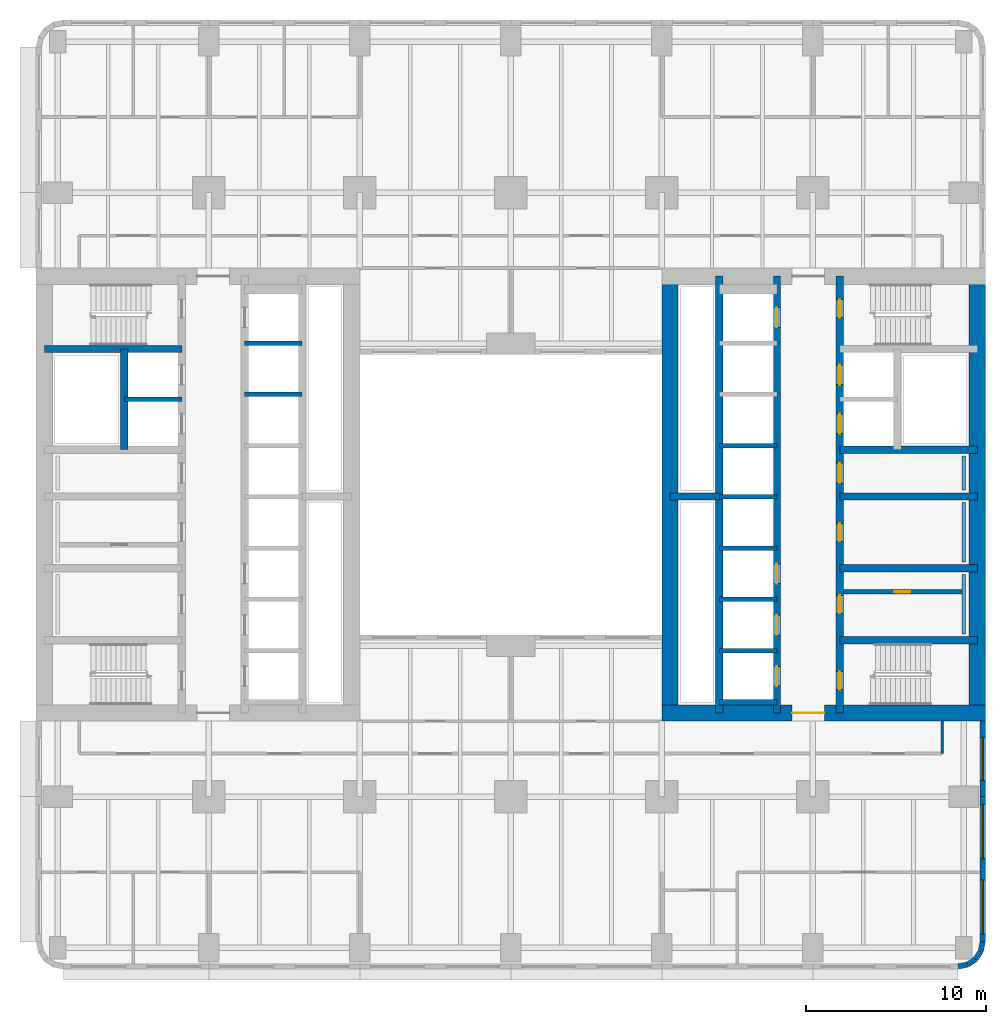
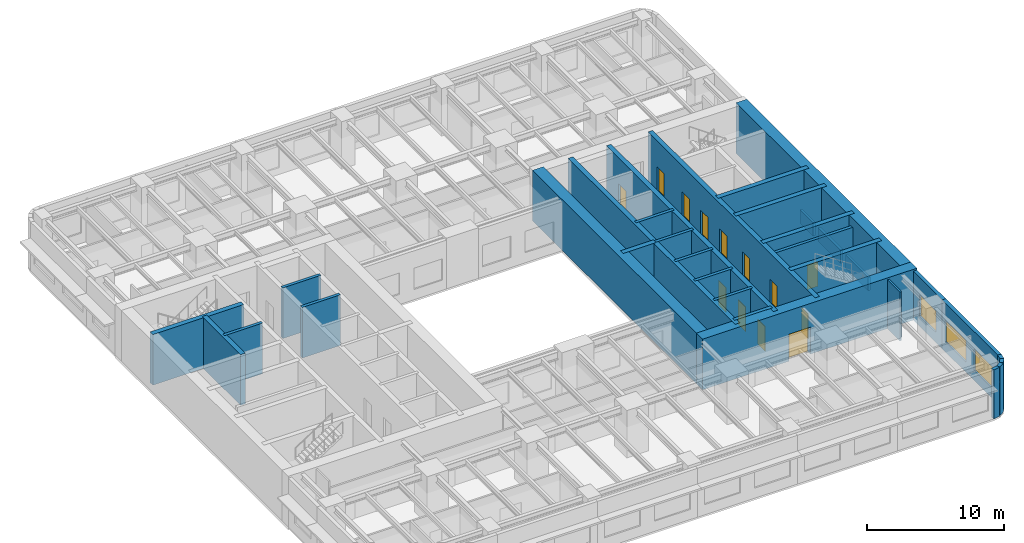
# One storey, part 5 of 14: 33 walls, 13 doors, 3 windows, 16 openings.
"""IFC4 building model written with IfcOpenShell, lengths in metres."""

from ifc_helpers import new_model, si_unit, direction, frame, frame_2d, origin, place, context, subcontext, project, spatial, rectangle, extrude, material, layer, layer_set, type_object, element, fill, save


model = new_model("IFC4")

# Units and contexts
model_context = context("Model", 3, precision=1e-05, world=origin(), true_north=direction((0.0, 1.0)))
body_context = subcontext(model_context, "Body", "Model", "MODEL_VIEW")
ifc_project = project(units=[si_unit("LENGTHUNIT", "METRE"), si_unit("AREAUNIT", "SQUARE_METRE"), si_unit("VOLUMEUNIT", "CUBIC_METRE"), si_unit("PLANEANGLEUNIT", "RADIAN"), si_unit("MASSUNIT", "GRAM", prefix="KILO")], contexts=[model_context])

# Site, building, storey
site_placement = place(None, origin())
site = spatial("IfcSite", under=ifc_project, at=site_placement, CompositionType="ELEMENT")
building_placement = place(site_placement, origin())
building = spatial("IfcBuilding", under=site, at=building_placement, Name="Claustro Exchange Tower", CompositionType="ELEMENT")
storey_placement = place(building_placement, frame((0.0, 0.0, 23.39990234375)))
storey = spatial("IfcBuildingStorey", under=building, at=storey_placement, Name="L05", CompositionType="ELEMENT", Elevation=23.39990234375)

# Wall
ifc_material_1 = material(Name="Gypsum board on steel studs", Category="steel")
ifc_layer_1 = layer(ifc_material_1, 0.14990234375)
ifc_layer_set_1 = layer_set([ifc_layer_1], Name="Gypsum board on steel studs")
wall_type_1 = type_object("IfcWallType", Name="P1 150 plasterboard partition", PredefinedType="PARTITIONING", material=ifc_layer_set_1)
wall_1_placement = place(storey_placement, frame((49.199951171875, 10.800048828125, 0.0), z_axis=(0.0, 0.0, 1.0), x_axis=(0.0, 1.0, 0.0)))
element("IfcWall", 1, at=wall_1_placement, inside=storey, type_object=wall_type_1, Name="Partition P1 L05", PredefinedType="PARTITIONING", context=body_context, shape_type="SweptSolid", body=[
    extrude(rectangle(XDim=1.802001953125, YDim=0.14990234375, at=frame_2d((0.90087890625, 0.0))), origin(), (0.0, 0.0, 1.0), 4.340087890625),
])

# Wall, opening, door
ifc_material_2 = material(Name="Concrete blockwork, rendered", Category="masonry")
ifc_layer_2 = layer(ifc_material_2, 0.25)
ifc_layer_set_2 = layer_set([ifc_layer_2], Name="Concrete blockwork, rendered")
wall_type_2 = type_object("IfcWallType", Name="P4 250 blockwork wall", PredefinedType="PARTITIONING", material=ifc_layer_set_2)
wall_2_placement = place(storey_placement, frame((43.699951171875, 19.800048828125, 0.0), z_axis=(0.0, 0.0, 1.0), x_axis=(1.0, 0.0, 0.0)))
wall_2 = element("IfcWall", 2, at=wall_2_placement, inside=storey, type_object=wall_type_2, Name="Partition P4 L05", PredefinedType="PARTITIONING", context=body_context, shape_type="SweptSolid", body=[
    extrude(rectangle(XDim=6.60009765625, YDim=0.25, at=frame_2d((3.300048828125, 0.0))), origin(), (0.0, 0.0, 1.0), 4.300048828125),
])
opening_1_placement = place(wall_2_placement, frame((2.824951171875, 0.0, 0.0)))
opening_1 = element("IfcOpeningElement", 3, at=opening_1_placement, cuts=wall_2, Name="Opening D5", PredefinedType="OPENING", context=body_context, shape_type="SweptSolid", body=[
    extrude(rectangle(XDim=0.89990234375, YDim=2.199951171875, at=frame_2d((0.449951171875, 1.10009765625))), frame((0.0, 0.135009765625, 0.0), z_axis=(0.0, -1.0, 0.0), x_axis=(1.0, 0.0, 0.0)), (0.0, 0.0, 1.0), 0.27001953125),
])
ifc_material_3 = material(Name="Steel door, painted", Category="steel")
door_type_1 = type_object("IfcDoorType", Name="D5 900 x 2200 store door", OperationType="SINGLE_SWING_LEFT", PredefinedType="DOOR", material=ifc_material_3)
door_1_placement = place(opening_1_placement, origin())
door_1 = element("IfcDoor", 4, at=door_1_placement, inside=storey, type_object=door_type_1, Name="Store door D5 L05", OperationType="SINGLE_SWING_RIGHT", OverallHeight=2.199951171875, OverallWidth=0.89990234375, PredefinedType="DOOR", context=body_context, shape_type="SweptSolid", body=[
    extrude(rectangle(XDim=0.89990234375, YDim=2.199951171875, at=frame_2d((0.449951171875, 1.10009765625))), frame((0.0, 0.02490234375, 0.0), z_axis=(0.0, -1.0, 0.0), x_axis=(1.0, 0.0, 0.0)), (0.0, 0.0, 1.0), 0.050048828125),
])
fill(opening_1, door_1)

# Wall, opening, window
ifc_material_4 = material(Name="Concrete HA-40 (C40/50), precast, white cement, acid-etched", Category="concrete")
ifc_layer_3 = layer(ifc_material_4, 0.300048828125)
ifc_layer_set_3 = layer_set([ifc_layer_3], Name="Concrete HA-40 (C40/50), precast, white cement, acid-etched")
wall_type_3 = type_object("IfcWallType", Name="PC1 300 precast concrete pier panel", PredefinedType="SOLIDWALL", material=ifc_layer_set_3)
wall_3_placement = place(storey_placement, frame((51.449951171875, 12.60009765625, 0.0), z_axis=(0.0, 0.0, 1.0), x_axis=(0.0, -1.0, 0.0)))
wall_3 = element("IfcWall", 5, at=wall_3_placement, inside=storey, type_object=wall_type_3, Name="Precast pier panel PC1 L05", PredefinedType="SOLIDWALL", context=body_context, shape_type="SweptSolid", body=[
    extrude(rectangle(XDim=4.2001953125, YDim=0.300048828125, at=frame_2d((2.10009765625, 0.0))), origin(), (0.0, 0.0, 1.0), 4.340087890625),
])
opening_2_placement = place(wall_3_placement, frame((0.89990234375, 0.0, 0.89990234375)))
opening_2 = element("IfcOpeningElement", 6, at=opening_2_placement, cuts=wall_3, Name="Opening W2", PredefinedType="OPENING", context=body_context, shape_type="SweptSolid", body=[
    extrude(rectangle(XDim=2.39990234375, YDim=1.89990234375, at=frame_2d((1.199951171875, 0.949951171875))), frame((0.0, 0.159912109375, 0.0), z_axis=(0.0, -1.0, 0.0), x_axis=(1.0, 0.0, 0.0)), (0.0, 0.0, 1.0), 0.320068359375),
])
ifc_material_5 = material(Name="Aluminium frame, clear double glazing", Category="aluminium")
window_type_1 = type_object("IfcWindowType", Name="W2 2400 x 1900 window", PartitioningType="SINGLE_PANEL", PredefinedType="WINDOW", material=ifc_material_5)
window_1_placement = place(opening_2_placement, origin())
window_1 = element("IfcWindow", 7, at=window_1_placement, inside=storey, type_object=window_type_1, Name="Window W2 L05", OverallHeight=1.89990234375, OverallWidth=2.39990234375, PartitioningType="SINGLE_PANEL", PredefinedType="WINDOW", context=body_context, shape_type="SweptSolid", body=[
    extrude(rectangle(XDim=2.39990234375, YDim=1.89990234375, at=frame_2d((1.199951171875, 0.949951171875))), frame((0.0, 0.030029296875, 0.0), z_axis=(0.0, -1.0, 0.0), x_axis=(1.0, 0.0, 0.0)), (0.0, 0.0, 1.0), 0.06005859375),
])
fill(opening_2, window_1)

# Wall, openings, windows
wall_4_placement = place(storey_placement, frame((51.449951171875, 8.39990234375, 0.0), z_axis=(0.0, 0.0, 1.0), x_axis=(0.0, -1.0, 0.0)))
wall_4 = element("IfcWall", 8, at=wall_4_placement, inside=storey, type_object=wall_type_3, Name="Precast pier panel PC1 L05", PredefinedType="SOLIDWALL", context=body_context, shape_type="SweptSolid", body=[
    extrude(rectangle(XDim=8.085205078125, YDim=0.300048828125, at=frame_2d((4.04248046875, 0.0))), origin(), (0.0, 0.0, 1.0), 4.340087890625),
])
opening_3_placement = place(wall_4_placement, frame((0.442626953125, 0.0, 0.89990234375)))
opening_3 = element("IfcOpeningElement", 9, at=opening_3_placement, cuts=wall_4, Name="Opening W1", PredefinedType="OPENING", context=body_context, shape_type="SweptSolid", body=[
    extrude(rectangle(XDim=3.0, YDim=1.89990234375, at=frame_2d((1.5, 0.949951171875))), frame((0.0, 0.159912109375, 0.0), z_axis=(0.0, -1.0, 0.0), x_axis=(1.0, 0.0, 0.0)), (0.0, 0.0, 1.0), 0.320068359375),
])
opening_4_placement = place(wall_4_placement, frame((4.642578125, 0.0, 0.89990234375)))
opening_4 = element("IfcOpeningElement", 10, at=opening_4_placement, cuts=wall_4, Name="Opening W1", PredefinedType="OPENING", context=body_context, shape_type="SweptSolid", body=[
    extrude(rectangle(XDim=3.0, YDim=1.89990234375, at=frame_2d((1.5, 0.949951171875))), frame((0.0, 0.159912109375, 0.0), z_axis=(0.0, -1.0, 0.0), x_axis=(1.0, 0.0, 0.0)), (0.0, 0.0, 1.0), 0.320068359375),
])
ifc_material_6 = material(Name="Aluminium frame, clear double glazing", Category="aluminium")
window_type_2 = type_object("IfcWindowType", Name="W1 3000 x 1900 window", PartitioningType="SINGLE_PANEL", PredefinedType="WINDOW", material=ifc_material_6)
window_2_placement = place(opening_3_placement, origin())
window_2 = element("IfcWindow", 11, at=window_2_placement, inside=storey, type_object=window_type_2, Name="Window W1 L05", OverallHeight=1.89990234375, OverallWidth=3.0, PartitioningType="SINGLE_PANEL", PredefinedType="WINDOW", context=body_context, shape_type="SweptSolid", body=[
    extrude(rectangle(XDim=3.0, YDim=1.89990234375, at=frame_2d((1.5, 0.949951171875))), frame((0.0, 0.030029296875, 0.0), z_axis=(0.0, -1.0, 0.0), x_axis=(1.0, 0.0, 0.0)), (0.0, 0.0, 1.0), 0.06005859375),
])
fill(opening_3, window_2)
window_3_placement = place(opening_4_placement, origin())
window_3 = element("IfcWindow", 12, at=window_3_placement, inside=storey, type_object=window_type_2, Name="Window W1 L05", OverallHeight=1.89990234375, OverallWidth=3.0, PartitioningType="SINGLE_PANEL", PredefinedType="WINDOW", context=body_context, shape_type="SweptSolid", body=[
    extrude(rectangle(XDim=3.0, YDim=1.89990234375, at=frame_2d((1.5, 0.949951171875))), frame((0.0, 0.030029296875, 0.0), z_axis=(0.0, -1.0, 0.0), x_axis=(1.0, 0.0, 0.0)), (0.0, 0.0, 1.0), 0.06005859375),
])
fill(opening_4, window_3)

# Walls
wall_5_placement = place(storey_placement, frame((51.449951171875, 0.314697265625, 0.0), z_axis=(0.0, 0.0, 1.0), x_axis=(-0.195073962632, -0.980788534345, 0.0)))
element("IfcWall", 13, at=wall_5_placement, inside=storey, type_object=wall_type_3, Name="Precast pier panel PC1 L05", PredefinedType="SOLIDWALL", context=body_context, shape_type="SweptSolid", body=[
    extrude(rectangle(XDim=0.540771484375, YDim=0.300048828125, at=frame_2d((0.2705078125, 0.0))), origin(), (0.0, 0.0, 1.0), 4.340087890625),
])
for number, where, z_axis, x_axis, name in (
    (14, (51.344482421875, -0.215576171875, 0.0), (0.0, 0.0, 1.0), (-0.555557463938, -0.831478144188, 0.0), "Precast pier panel PC1 L05"),
    (15, (51.052490234375, -0.652587890625, 0.0), (0.0, 0.0, 1.0), (-0.831478144188, -0.555557463938, 0.0), "Precast pier panel PC1 L05"),
):
    element("IfcWall", number, at=place(storey_placement, frame(where, z_axis=z_axis, x_axis=x_axis)), inside=storey, type_object=wall_type_3, Name=name, PredefinedType="SOLIDWALL", context=body_context, shape_type="SweptSolid", body=[
        extrude(rectangle(XDim=0.525634765625, YDim=0.300048828125, at=frame_2d((0.2626953125, 0.0))), origin(), (0.0, 0.0, 1.0), 4.340087890625),
    ])
wall_6_placement = place(storey_placement, frame((50.615478515625, -0.944580078125, 0.0), z_axis=(0.0, 0.0, 1.0), x_axis=(-0.980788534345, -0.195073962632, 0.0)))
element("IfcWall", 16, at=wall_6_placement, inside=storey, type_object=wall_type_3, Name="Precast pier panel PC1 L05", PredefinedType="SOLIDWALL", context=body_context, shape_type="SweptSolid", body=[
    extrude(rectangle(XDim=0.540771484375, YDim=0.300048828125, at=frame_2d((0.2705078125, 0.0))), origin(), (0.0, 0.0, 1.0), 4.340087890625),
])
ifc_material_7 = material(Name="Gypsum board on steel studs, tiled", Category="steel")
ifc_layer_4 = layer(ifc_material_7, 0.199951171875)
ifc_layer_set_4 = layer_set([ifc_layer_4], Name="Gypsum board on steel studs, tiled")
wall_type_4 = type_object("IfcWallType", Name="PW1 200 WC duct wall", PredefinedType="PLUMBINGWALL", material=ifc_layer_set_4)
for number, where, z_axis, x_axis, name in (
    (17, (50.39990234375, 17.449951171875, 0.0), (0.0, 0.0, 1.0), (0.0, 1.0, 0.0), "WC duct wall PW1 L05"),
    (18, (50.39990234375, 21.449951171875, 0.0), (0.0, 0.0, 1.0), (0.0, 1.0, 0.0), "WC duct wall PW1 L05"),
):
    element("IfcWall", number, at=place(storey_placement, frame(where, z_axis=z_axis, x_axis=x_axis)), inside=storey, type_object=wall_type_4, Name=name, PredefinedType="PLUMBINGWALL", context=body_context, shape_type="SweptSolid", body=[
        extrude(rectangle(XDim=3.300048828125, YDim=0.199951171875, at=frame_2d((1.64990234375, 0.0))), origin(), (0.0, 0.0, 1.0), 1.2001953125),
    ])
wall_7_placement = place(storey_placement, frame((50.39990234375, 25.449951171875, 0.0), z_axis=(0.0, 0.0, 1.0), x_axis=(0.0, 1.0, 0.0)))
element("IfcWall", 19, at=wall_7_placement, inside=storey, type_object=wall_type_4, Name="WC duct wall PW1 L05", PredefinedType="PLUMBINGWALL", context=body_context, shape_type="SweptSolid", body=[
    extrude(rectangle(XDim=1.900146484375, YDim=0.199951171875, at=frame_2d((0.9501953125, 0.0))), origin(), (0.0, 0.0, 1.0), 1.2001953125),
])

# Wall, opening, door
ifc_material_8 = material(Name="Concrete HA-70 (C70/85)", Category="concrete")
ifc_layer_5 = layer(ifc_material_8, 0.89990234375)
ifc_layer_set_5 = layer_set([ifc_layer_5], Name="Concrete HA-70 (C70/85)")
wall_type_5 = type_object("IfcWallType", Name="SW1 900 core shear wall", PredefinedType="SHEAR", material=ifc_layer_set_5)
wall_8_placement = place(storey_placement, frame((33.60009765625, 13.050048828125, 0.0), z_axis=(0.0, 0.0, 1.0), x_axis=(1.0, 0.0, 0.0)))
wall_8 = element("IfcWall", 20, at=wall_8_placement, inside=storey, type_object=wall_type_5, Name="Core wall SW1 E core S face L05", PredefinedType="SHEAR", context=body_context, shape_type="SweptSolid", body=[
    extrude(rectangle(XDim=18.0, YDim=0.89990234375, at=frame_2d((9.0, 0.0))), origin(), (0.0, 0.0, 1.0), 4.5),
])
opening_5_placement = place(wall_8_placement, frame((7.25, 0.0, 0.0)))
opening_5 = element("IfcOpeningElement", 21, at=opening_5_placement, cuts=wall_8, Name="Opening D3", PredefinedType="OPENING", context=body_context, shape_type="SweptSolid", body=[
    extrude(rectangle(XDim=1.800048828125, YDim=2.39990234375, at=frame_2d((0.89990234375, 1.199951171875))), frame((0.0, 0.4599609375, 0.0), z_axis=(0.0, -1.0, 0.0), x_axis=(1.0, 0.0, 0.0)), (0.0, 0.0, 1.0), 0.919921875),
])
ifc_material_9 = material(Name="Steel fire door, painted", Category="steel")
door_type_2 = type_object("IfcDoorType", Name="D3 1800 x 2400 fire-rated lobby double door", OperationType="DOUBLE_DOOR_SINGLE_SWING", PredefinedType="DOOR", material=ifc_material_9)
door_2_placement = place(opening_5_placement, origin())
door_2 = element("IfcDoor", 22, at=door_2_placement, inside=storey, type_object=door_type_2, Name="Lift lobby door D3 L05", OperationType="DOUBLE_DOOR_SINGLE_SWING", OverallHeight=2.39990234375, OverallWidth=1.800048828125, PredefinedType="DOOR", context=body_context, shape_type="SweptSolid", body=[
    extrude(rectangle(XDim=1.800048828125, YDim=2.39990234375, at=frame_2d((0.89990234375, 1.199951171875))), frame((0.0, 0.02490234375, 0.0), z_axis=(0.0, -1.0, 0.0), x_axis=(1.0, 0.0, 0.0)), (0.0, 0.0, 1.0), 0.050048828125),
])
fill(opening_5, door_2)

# Walls
ifc_material_10 = material(Name="Concrete HA-70 (C70/85)", Category="concrete")
ifc_layer_6 = layer(ifc_material_10, 0.89990234375)
ifc_layer_set_6 = layer_set([ifc_layer_6], Name="Concrete HA-70 (C70/85)")
wall_type_6 = type_object("IfcWallType", Name="SW1X 900 exposed core shear wall, board-marked face", PredefinedType="SHEAR", material=ifc_layer_set_6)
for number, where, z_axis, x_axis, name in (
    (23, (34.050048828125, 13.050048828125, 0.0), (0.0, 0.0, 1.0), (0.0, 1.0, 0.0), "Core wall SW1X E core W face L05"),
    (24, (51.14990234375, 13.050048828125, 0.0), (0.0, 0.0, 1.0), (0.0, 1.0, 0.0), "Core wall SW1X E core E face L05"),
):
    element("IfcWall", number, at=place(storey_placement, frame(where, z_axis=z_axis, x_axis=x_axis)), inside=storey, type_object=wall_type_6, Name=name, PredefinedType="SHEAR", context=body_context, shape_type="SweptSolid", body=[
        extrude(rectangle(XDim=24.300048828125, YDim=0.89990234375, at=frame_2d((12.14990234375, 0.0))), origin(), (0.0, 0.0, 1.0), 4.5),
    ])
ifc_material_11 = material(Name="Concrete HA-50 (C50/60)", Category="concrete")
ifc_layer_7 = layer(ifc_material_11, 0.39990234375)
ifc_layer_set_7 = layer_set([ifc_layer_7], Name="Concrete HA-50 (C50/60)")
wall_type_7 = type_object("IfcWallType", Name="SW4 400 internal core wall", PredefinedType="SHEAR", material=ifc_layer_set_7)
wall_9_placement = place(storey_placement, frame((-0.75, 33.300048828125, 0.0), z_axis=(0.0, 0.0, 1.0), x_axis=(1.0, 0.0, 0.0)))
element("IfcWall", 25, at=wall_9_placement, inside=storey, type_object=wall_type_7, Name="Internal core wall SW4 W core L05", PredefinedType="SHEAR", context=body_context, shape_type="SweptSolid", body=[
    extrude(rectangle(XDim=7.64990234375, YDim=0.39990234375, at=frame_2d((3.824951171875, 0.0))), origin(), (0.0, 0.0, 1.0), 4.5),
])
wall_10_placement = place(storey_placement, frame((3.699951171875, 27.699951171875, 0.0), z_axis=(0.0, 0.0, 1.0), x_axis=(0.0, 1.0, 0.0)))
element("IfcWall", 26, at=wall_10_placement, inside=storey, type_object=wall_type_7, Name="Internal core wall SW4 W core L05", PredefinedType="SHEAR", context=body_context, shape_type="SweptSolid", body=[
    extrude(rectangle(XDim=5.60009765625, YDim=0.39990234375, at=frame_2d((2.800048828125, 0.0))), origin(), (0.0, 0.0, 1.0), 4.5),
])

# Wall, openings, doors
wall_11_placement = place(storey_placement, frame((43.5, 13.050048828125, 0.0), z_axis=(0.0, 0.0, 1.0), x_axis=(0.0, 1.0, 0.0)))
wall_11 = element("IfcWall", 27, at=wall_11_placement, inside=storey, type_object=wall_type_7, Name="Internal core wall SW4 E core L05", PredefinedType="SHEAR", context=body_context, shape_type="SweptSolid", body=[
    extrude(rectangle(XDim=24.300048828125, YDim=0.39990234375, at=frame_2d((12.14990234375, 0.0))), origin(), (0.0, 0.0, 1.0), 4.5),
])
opening_6_placement = place(wall_11_placement, frame((1.300048828125, 0.0, 0.0)))
opening_6 = element("IfcOpeningElement", 28, at=opening_6_placement, cuts=wall_11, Name="Opening D4", PredefinedType="OPENING", context=body_context, shape_type="SweptSolid", body=[
    extrude(rectangle(XDim=1.0, YDim=2.199951171875, at=frame_2d((0.5, 1.10009765625))), frame((0.0, 0.2099609375, 0.0), z_axis=(0.0, -1.0, 0.0), x_axis=(1.0, 0.0, 0.0)), (0.0, 0.0, 1.0), 0.419921875),
])
opening_7_placement = place(wall_11_placement, frame((22.0, 0.0, 0.0)))
opening_7 = element("IfcOpeningElement", 29, at=opening_7_placement, cuts=wall_11, Name="Opening D4", PredefinedType="OPENING", context=body_context, shape_type="SweptSolid", body=[
    extrude(rectangle(XDim=1.0, YDim=2.199951171875, at=frame_2d((0.5, 1.10009765625))), frame((0.0, 0.2099609375, 0.0), z_axis=(0.0, -1.0, 0.0), x_axis=(1.0, 0.0, 0.0)), (0.0, 0.0, 1.0), 0.419921875),
])
opening_8_placement = place(wall_11_placement, frame((5.550048828125, 0.0, 0.0)))
opening_8 = element("IfcOpeningElement", 30, at=opening_8_placement, cuts=wall_11, Name="Opening D1", PredefinedType="OPENING", context=body_context, shape_type="SweptSolid", body=[
    extrude(rectangle(XDim=1.0, YDim=2.199951171875, at=frame_2d((0.5, 1.10009765625))), frame((0.0, 0.2099609375, 0.0), z_axis=(0.0, -1.0, 0.0), x_axis=(1.0, 0.0, 0.0)), (0.0, 0.0, 1.0), 0.419921875),
])
opening_9_placement = place(wall_11_placement, frame((9.550048828125, 0.0, 0.0)))
opening_9 = element("IfcOpeningElement", 31, at=opening_9_placement, cuts=wall_11, Name="Opening D1", PredefinedType="OPENING", context=body_context, shape_type="SweptSolid", body=[
    extrude(rectangle(XDim=1.0, YDim=2.199951171875, at=frame_2d((0.5, 1.10009765625))), frame((0.0, 0.2099609375, 0.0), z_axis=(0.0, -1.0, 0.0), x_axis=(1.0, 0.0, 0.0)), (0.0, 0.0, 1.0), 0.419921875),
])
opening_10_placement = place(wall_11_placement, frame((12.800048828125, 0.0, 0.0)))
opening_10 = element("IfcOpeningElement", 32, at=opening_10_placement, cuts=wall_11, Name="Opening D10", PredefinedType="OPENING", context=body_context, shape_type="SweptSolid", body=[
    extrude(rectangle(XDim=1.10009765625, YDim=2.199951171875, at=frame_2d((0.550048828125, 1.10009765625))), frame((0.0, 0.2099609375, 0.0), z_axis=(0.0, -1.0, 0.0), x_axis=(1.0, 0.0, 0.0)), (0.0, 0.0, 1.0), 0.419921875),
])
opening_11_placement = place(wall_11_placement, frame((15.53759765625, 0.0, 0.0)))
opening_11 = element("IfcOpeningElement", 33, at=opening_11_placement, cuts=wall_11, Name="Opening LD", PredefinedType="OPENING", context=body_context, shape_type="SweptSolid", body=[
    extrude(rectangle(XDim=1.10009765625, YDim=2.199951171875, at=frame_2d((0.550048828125, 1.10009765625))), frame((0.0, 0.2099609375, 0.0), z_axis=(0.0, -1.0, 0.0), x_axis=(1.0, 0.0, 0.0)), (0.0, 0.0, 1.0), 0.419921875),
])
opening_12_placement = place(wall_11_placement, frame((18.262451171875, 0.0, 0.0)))
opening_12 = element("IfcOpeningElement", 34, at=opening_12_placement, cuts=wall_11, Name="Opening LD", PredefinedType="OPENING", context=body_context, shape_type="SweptSolid", body=[
    extrude(rectangle(XDim=1.10009765625, YDim=2.199951171875, at=frame_2d((0.550048828125, 1.10009765625))), frame((0.0, 0.2099609375, 0.0), z_axis=(0.0, -1.0, 0.0), x_axis=(1.0, 0.0, 0.0)), (0.0, 0.0, 1.0), 0.419921875),
])
ifc_material_12 = material(Name="Timber door, oak veneer", Category="wood")
door_type_3 = type_object("IfcDoorType", Name="D1 1000 x 2200 single door", OperationType="SINGLE_SWING_LEFT", PredefinedType="DOOR", material=ifc_material_12)
door_3_placement = place(opening_8_placement, frame((1.0, 0.0, 0.0), z_axis=(0.0, 0.0, 1.0), x_axis=(-1.0, 0.0, 0.0)))
door_3 = element("IfcDoor", 35, at=door_3_placement, inside=storey, type_object=door_type_3, Name="Door D1 L05", OperationType="SINGLE_SWING_LEFT", OverallHeight=2.199951171875, OverallWidth=1.0, PredefinedType="DOOR", context=body_context, shape_type="SweptSolid", body=[
    extrude(rectangle(XDim=1.0, YDim=2.199951171875, at=frame_2d((0.5, 1.10009765625))), frame((0.0, 0.02490234375, 0.0), z_axis=(0.0, -1.0, 0.0), x_axis=(1.0, 0.0, 0.0)), (0.0, 0.0, 1.0), 0.050048828125),
])
fill(opening_8, door_3)
door_4_placement = place(opening_9_placement, frame((1.0, 0.0, 0.0), z_axis=(0.0, 0.0, 1.0), x_axis=(-1.0, 0.0, 0.0)))
door_4 = element("IfcDoor", 36, at=door_4_placement, inside=storey, type_object=door_type_3, Name="Door D1 L05", OperationType="SINGLE_SWING_LEFT", OverallHeight=2.199951171875, OverallWidth=1.0, PredefinedType="DOOR", context=body_context, shape_type="SweptSolid", body=[
    extrude(rectangle(XDim=1.0, YDim=2.199951171875, at=frame_2d((0.5, 1.10009765625))), frame((0.0, 0.02490234375, 0.0), z_axis=(0.0, -1.0, 0.0), x_axis=(1.0, 0.0, 0.0)), (0.0, 0.0, 1.0), 0.050048828125),
])
fill(opening_9, door_4)
ifc_material_13 = material(Name="Timber door, oak veneer", Category="wood")
door_type_4 = type_object("IfcDoorType", Name="D10 1100 x 2200 accessible WC door", OperationType="SINGLE_SWING_LEFT", PredefinedType="DOOR", material=ifc_material_13)
door_5_placement = place(opening_10_placement, origin())
door_5 = element("IfcDoor", 37, at=door_5_placement, inside=storey, type_object=door_type_4, Name="Accessible WC door D10 L05", OperationType="SINGLE_SWING_RIGHT", OverallHeight=2.199951171875, OverallWidth=1.10009765625, PredefinedType="DOOR", context=body_context, shape_type="SweptSolid", body=[
    extrude(rectangle(XDim=1.10009765625, YDim=2.199951171875, at=frame_2d((0.550048828125, 1.10009765625))), frame((0.0, 0.02490234375, 0.0), z_axis=(0.0, -1.0, 0.0), x_axis=(1.0, 0.0, 0.0)), (0.0, 0.0, 1.0), 0.050048828125),
])
fill(opening_10, door_5)
ifc_material_14 = material(Name="Steel fire door, painted", Category="steel")
door_type_5 = type_object("IfcDoorType", Name="D4 1000 x 2200 fire-rated stair door", OperationType="SINGLE_SWING_LEFT", PredefinedType="DOOR", material=ifc_material_14)
door_6_placement = place(opening_6_placement, frame((1.0, 0.0, 0.0), z_axis=(0.0, 0.0, 1.0), x_axis=(-1.0, 0.0, 0.0)))
door_6 = element("IfcDoor", 38, at=door_6_placement, inside=storey, type_object=door_type_5, Name="Stair door D4 L05", OperationType="SINGLE_SWING_RIGHT", OverallHeight=2.199951171875, OverallWidth=1.0, PredefinedType="DOOR", context=body_context, shape_type="SweptSolid", body=[
    extrude(rectangle(XDim=1.0, YDim=2.199951171875, at=frame_2d((0.5, 1.10009765625))), frame((0.0, 0.02490234375, 0.0), z_axis=(0.0, -1.0, 0.0), x_axis=(1.0, 0.0, 0.0)), (0.0, 0.0, 1.0), 0.050048828125),
])
fill(opening_6, door_6)
door_7_placement = place(opening_7_placement, frame((1.0, 0.0, 0.0), z_axis=(0.0, 0.0, 1.0), x_axis=(-1.0, 0.0, 0.0)))
door_7 = element("IfcDoor", 39, at=door_7_placement, inside=storey, type_object=door_type_5, Name="Stair door D4 L05", OperationType="SINGLE_SWING_LEFT", OverallHeight=2.199951171875, OverallWidth=1.0, PredefinedType="DOOR", context=body_context, shape_type="SweptSolid", body=[
    extrude(rectangle(XDim=1.0, YDim=2.199951171875, at=frame_2d((0.5, 1.10009765625))), frame((0.0, 0.02490234375, 0.0), z_axis=(0.0, -1.0, 0.0), x_axis=(1.0, 0.0, 0.0)), (0.0, 0.0, 1.0), 0.050048828125),
])
fill(opening_7, door_7)
ifc_material_15 = material(Name="Stainless steel sliding door", Category="steel")
door_type_6 = type_object("IfcDoorType", Name="LD 1100 x 2200 lift landing door", OperationType="DOUBLE_DOOR_SLIDING", PredefinedType="DOOR", material=ifc_material_15)
door_8_placement = place(opening_11_placement, origin())
door_8 = element("IfcDoor", 40, at=door_8_placement, inside=storey, type_object=door_type_6, Name="Lift landing door LEE1 LD L05", OperationType="DOUBLE_DOOR_SLIDING", OverallHeight=2.199951171875, OverallWidth=1.10009765625, PredefinedType="DOOR", context=body_context, shape_type="SweptSolid", body=[
    extrude(rectangle(XDim=1.10009765625, YDim=2.199951171875, at=frame_2d((0.550048828125, 1.10009765625))), frame((0.0, 0.02490234375, 0.0), z_axis=(0.0, -1.0, 0.0), x_axis=(1.0, 0.0, 0.0)), (0.0, 0.0, 1.0), 0.050048828125),
])
fill(opening_11, door_8)
door_9_placement = place(opening_12_placement, origin())
door_9 = element("IfcDoor", 41, at=door_9_placement, inside=storey, type_object=door_type_6, Name="Lift landing door LEE2 LD L05", OperationType="DOUBLE_DOOR_SLIDING", OverallHeight=2.199951171875, OverallWidth=1.10009765625, PredefinedType="DOOR", context=body_context, shape_type="SweptSolid", body=[
    extrude(rectangle(XDim=1.10009765625, YDim=2.199951171875, at=frame_2d((0.550048828125, 1.10009765625))), frame((0.0, 0.02490234375, 0.0), z_axis=(0.0, -1.0, 0.0), x_axis=(1.0, 0.0, 0.0)), (0.0, 0.0, 1.0), 0.050048828125),
])
fill(opening_12, door_9)

wall_12_placement = place(storey_placement, frame((40.0, 13.050048828125, 0.0), z_axis=(0.0, 0.0, 1.0), x_axis=(0.0, 1.0, 0.0)))
wall_12 = element("IfcWall", 42, at=wall_12_placement, inside=storey, type_object=wall_type_7, Name="Internal core wall SW4 E core L05", PredefinedType="SHEAR", context=body_context, shape_type="SweptSolid", body=[
    extrude(rectangle(XDim=24.300048828125, YDim=0.39990234375, at=frame_2d((12.14990234375, 0.0))), origin(), (0.0, 0.0, 1.0), 4.5),
])
opening_13_placement = place(wall_12_placement, frame((1.5, 0.0, 0.0)))
opening_13 = element("IfcOpeningElement", 43, at=opening_13_placement, cuts=wall_12, Name="Opening LD", PredefinedType="OPENING", context=body_context, shape_type="SweptSolid", body=[
    extrude(rectangle(XDim=1.10009765625, YDim=2.199951171875, at=frame_2d((0.550048828125, 1.10009765625))), frame((0.0, 0.2099609375, 0.0), z_axis=(0.0, -1.0, 0.0), x_axis=(1.0, 0.0, 0.0)), (0.0, 0.0, 1.0), 0.419921875),
])
opening_14_placement = place(wall_12_placement, frame((4.35009765625, 0.0, 0.0)))
opening_14 = element("IfcOpeningElement", 44, at=opening_14_placement, cuts=wall_12, Name="Opening LD", PredefinedType="OPENING", context=body_context, shape_type="SweptSolid", body=[
    extrude(rectangle(XDim=1.10009765625, YDim=2.199951171875, at=frame_2d((0.550048828125, 1.10009765625))), frame((0.0, 0.2099609375, 0.0), z_axis=(0.0, -1.0, 0.0), x_axis=(1.0, 0.0, 0.0)), (0.0, 0.0, 1.0), 0.419921875),
])
opening_15_placement = place(wall_12_placement, frame((7.199951171875, 0.0, 0.0)))
opening_15 = element("IfcOpeningElement", 45, at=opening_15_placement, cuts=wall_12, Name="Opening LD", PredefinedType="OPENING", context=body_context, shape_type="SweptSolid", body=[
    extrude(rectangle(XDim=1.10009765625, YDim=2.199951171875, at=frame_2d((0.550048828125, 1.10009765625))), frame((0.0, 0.2099609375, 0.0), z_axis=(0.0, -1.0, 0.0), x_axis=(1.0, 0.0, 0.0)), (0.0, 0.0, 1.0), 0.419921875),
])
opening_16_placement = place(wall_12_placement, frame((21.449951171875, 0.0, 0.0)))
opening_16 = element("IfcOpeningElement", 46, at=opening_16_placement, cuts=wall_12, Name="Opening LD", PredefinedType="OPENING", context=body_context, shape_type="SweptSolid", body=[
    extrude(rectangle(XDim=1.10009765625, YDim=2.199951171875, at=frame_2d((0.550048828125, 1.10009765625))), frame((0.0, 0.2099609375, 0.0), z_axis=(0.0, -1.0, 0.0), x_axis=(1.0, 0.0, 0.0)), (0.0, 0.0, 1.0), 0.419921875),
])
door_10_placement = place(opening_13_placement, origin())
door_10 = element("IfcDoor", 47, at=door_10_placement, inside=storey, type_object=door_type_6, Name="Lift landing door LLE1 LD L05", OperationType="DOUBLE_DOOR_SLIDING", OverallHeight=2.199951171875, OverallWidth=1.10009765625, PredefinedType="DOOR", context=body_context, shape_type="SweptSolid", body=[
    extrude(rectangle(XDim=1.10009765625, YDim=2.199951171875, at=frame_2d((0.550048828125, 1.10009765625))), frame((0.0, 0.02490234375, 0.0), z_axis=(0.0, -1.0, 0.0), x_axis=(1.0, 0.0, 0.0)), (0.0, 0.0, 1.0), 0.050048828125),
])
fill(opening_13, door_10)
door_11_placement = place(opening_14_placement, origin())
door_11 = element("IfcDoor", 48, at=door_11_placement, inside=storey, type_object=door_type_6, Name="Lift landing door LLE2 LD L05", OperationType="DOUBLE_DOOR_SLIDING", OverallHeight=2.199951171875, OverallWidth=1.10009765625, PredefinedType="DOOR", context=body_context, shape_type="SweptSolid", body=[
    extrude(rectangle(XDim=1.10009765625, YDim=2.199951171875, at=frame_2d((0.550048828125, 1.10009765625))), frame((0.0, 0.02490234375, 0.0), z_axis=(0.0, -1.0, 0.0), x_axis=(1.0, 0.0, 0.0)), (0.0, 0.0, 1.0), 0.050048828125),
])
fill(opening_14, door_11)
door_12_placement = place(opening_15_placement, origin())
door_12 = element("IfcDoor", 49, at=door_12_placement, inside=storey, type_object=door_type_6, Name="Lift landing door LLE3 LD L05", OperationType="DOUBLE_DOOR_SLIDING", OverallHeight=2.199951171875, OverallWidth=1.10009765625, PredefinedType="DOOR", context=body_context, shape_type="SweptSolid", body=[
    extrude(rectangle(XDim=1.10009765625, YDim=2.199951171875, at=frame_2d((0.550048828125, 1.10009765625))), frame((0.0, 0.02490234375, 0.0), z_axis=(0.0, -1.0, 0.0), x_axis=(1.0, 0.0, 0.0)), (0.0, 0.0, 1.0), 0.050048828125),
])
fill(opening_15, door_12)
door_13_placement = place(opening_16_placement, origin())
door_13 = element("IfcDoor", 50, at=door_13_placement, inside=storey, type_object=door_type_6, Name="Lift landing door LSE1 LD L05", OperationType="DOUBLE_DOOR_SLIDING", OverallHeight=2.199951171875, OverallWidth=1.10009765625, PredefinedType="DOOR", context=body_context, shape_type="SweptSolid", body=[
    extrude(rectangle(XDim=1.10009765625, YDim=2.199951171875, at=frame_2d((0.550048828125, 1.10009765625))), frame((0.0, 0.02490234375, 0.0), z_axis=(0.0, -1.0, 0.0), x_axis=(1.0, 0.0, 0.0)), (0.0, 0.0, 1.0), 0.050048828125),
])
fill(opening_16, door_13)

# Walls
wall_13_placement = place(storey_placement, frame((36.800048828125, 13.050048828125, 0.0), z_axis=(0.0, 0.0, 1.0), x_axis=(0.0, 1.0, 0.0)))
element("IfcWall", 51, at=wall_13_placement, inside=storey, type_object=wall_type_7, Name="Internal core wall SW4 E core L05", PredefinedType="SHEAR", context=body_context, shape_type="SweptSolid", body=[
    extrude(rectangle(XDim=24.300048828125, YDim=0.39990234375, at=frame_2d((12.14990234375, 0.0))), origin(), (0.0, 0.0, 1.0), 4.5),
])
for number, where, z_axis, x_axis, name in (
    (52, (51.14990234375, 17.10009765625, 0.0), (0.0, 0.0, 1.0), (-1.0, 0.0, 0.0), "Internal core wall SW4 E core L05"),
    (53, (51.14990234375, 21.10009765625, 0.0), (0.0, 0.0, 1.0), (-1.0, 0.0, 0.0), "Internal core wall SW4 E core L05"),
    (54, (51.14990234375, 25.10009765625, 0.0), (0.0, 0.0, 1.0), (-1.0, 0.0, 0.0), "Internal core wall SW4 E core L05"),
    (55, (51.14990234375, 27.699951171875, 0.0), (0.0, 0.0, 1.0), (-1.0, 0.0, 0.0), "Internal core wall SW4 E core L05"),
):
    element("IfcWall", number, at=place(storey_placement, frame(where, z_axis=z_axis, x_axis=x_axis)), inside=storey, type_object=wall_type_7, Name=name, PredefinedType="SHEAR", context=body_context, shape_type="SweptSolid", body=[
        extrude(rectangle(XDim=7.64990234375, YDim=0.39990234375, at=frame_2d((3.824951171875, 0.0))), origin(), (0.0, 0.0, 1.0), 4.5),
    ])
wall_14_placement = place(storey_placement, frame((36.800048828125, 25.10009765625, 0.0), z_axis=(0.0, 0.0, 1.0), x_axis=(-1.0, 0.0, 0.0)))
element("IfcWall", 56, at=wall_14_placement, inside=storey, type_object=wall_type_7, Name="Internal core wall SW4 E core L05", PredefinedType="SHEAR", context=body_context, shape_type="SweptSolid", body=[
    extrude(rectangle(XDim=2.75, YDim=0.39990234375, at=frame_2d((1.375, 0.0))), origin(), (0.0, 0.0, 1.0), 4.5),
])
ifc_material_16 = material(Name="Concrete HA-50 (C50/60)", Category="concrete")
ifc_layer_8 = layer(ifc_material_16, 0.25)
ifc_layer_set_8 = layer_set([ifc_layer_8], Name="Concrete HA-50 (C50/60)")
wall_type_8 = type_object("IfcWallType", Name="SW5 250 lift shaft divider wall", PredefinedType="SHEAR", material=ifc_layer_set_8)
wall_15_placement = place(storey_placement, frame((3.699951171875, 30.5, 0.0), z_axis=(0.0, 0.0, 1.0), x_axis=(1.0, 0.0, 0.0)))
element("IfcWall", 57, at=wall_15_placement, inside=storey, type_object=wall_type_8, Name="Lift shaft wall W core L05", PredefinedType="SHEAR", context=body_context, shape_type="SweptSolid", body=[
    extrude(rectangle(XDim=3.199951171875, YDim=0.25, at=frame_2d((1.60009765625, 0.0))), origin(), (0.0, 0.0, 1.0), 4.5),
])
for number, where, z_axis, x_axis, name in (
    (58, (10.39990234375, 30.77490234375, 0.0), (0.0, 0.0, 1.0), (1.0, 0.0, 0.0), "Lift shaft wall W core L05"),
    (59, (10.39990234375, 33.625, 0.0), (0.0, 0.0, 1.0), (1.0, 0.0, 0.0), "Lift shaft wall W core L05"),
):
    element("IfcWall", number, at=place(storey_placement, frame(where, z_axis=z_axis, x_axis=x_axis)), inside=storey, type_object=wall_type_8, Name=name, PredefinedType="SHEAR", context=body_context, shape_type="SweptSolid", body=[
        extrude(rectangle(XDim=3.2001953125, YDim=0.25, at=frame_2d((1.60009765625, 0.0))), origin(), (0.0, 0.0, 1.0), 4.5),
    ])
for number, where, z_axis, x_axis, name in (
    (60, (40.0, 16.52490234375, 0.0), (0.0, 0.0, 1.0), (-1.0, 0.0, 0.0), "Lift shaft wall E core L05"),
    (61, (40.0, 19.375, 0.0), (0.0, 0.0, 1.0), (-1.0, 0.0, 0.0), "Lift shaft wall E core L05"),
    (62, (40.0, 22.22509765625, 0.0), (0.0, 0.0, 1.0), (-1.0, 0.0, 0.0), "Lift shaft wall E core L05"),
    (63, (40.0, 25.074951171875, 0.0), (0.0, 0.0, 1.0), (-1.0, 0.0, 0.0), "Lift shaft wall E core L05"),
    (64, (40.0, 27.925048828125, 0.0), (0.0, 0.0, 1.0), (-1.0, 0.0, 0.0), "Lift shaft wall E core L05"),
):
    element("IfcWall", number, at=place(storey_placement, frame(where, z_axis=z_axis, x_axis=x_axis)), inside=storey, type_object=wall_type_8, Name=name, PredefinedType="SHEAR", context=body_context, shape_type="SweptSolid", body=[
        extrude(rectangle(XDim=3.199951171875, YDim=0.25, at=frame_2d((1.60009765625, 0.0))), origin(), (0.0, 0.0, 1.0), 4.5),
    ])
ifc_material_17 = material(Name="Concrete HA-50 (C50/60)", Category="concrete")
ifc_layer_9 = layer(ifc_material_17, 0.300048828125)
ifc_layer_set_9 = layer_set([ifc_layer_9], Name="Concrete HA-50 (C50/60)")
wall_type_9 = type_object("IfcWallType", Name="SW6A 300 lift shaft end wall", PredefinedType="SHEAR", material=ifc_layer_set_9)
wall_16_placement = place(storey_placement, frame((40.0, 13.64990234375, 0.0), z_axis=(0.0, 0.0, 1.0), x_axis=(-1.0, 0.0, 0.0)))
element("IfcWall", 65, at=wall_16_placement, inside=storey, type_object=wall_type_9, Name="Lift shaft wall E core L05", PredefinedType="SHEAR", context=body_context, shape_type="SweptSolid", body=[
    extrude(rectangle(XDim=3.199951171875, YDim=0.300048828125, at=frame_2d((1.60009765625, 0.0))), origin(), (0.0, 0.0, 1.0), 4.5),
])

save(model, "model.ifc")
